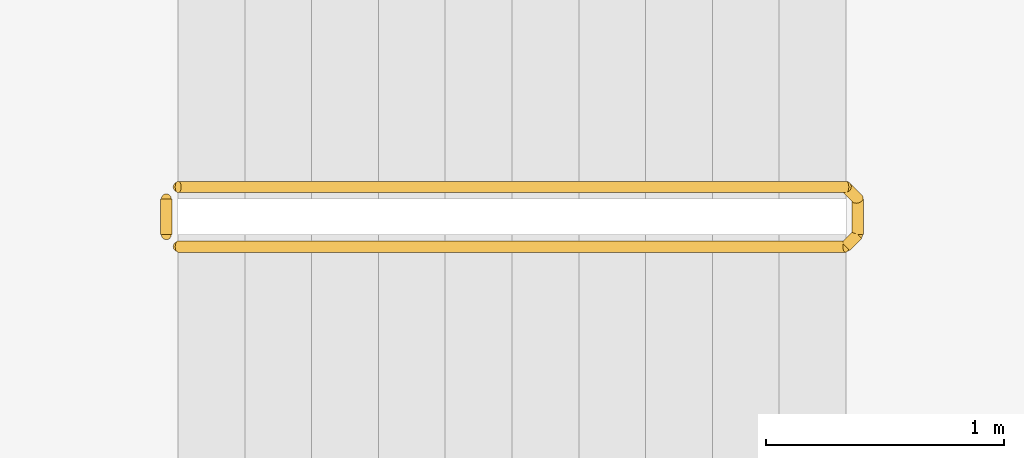
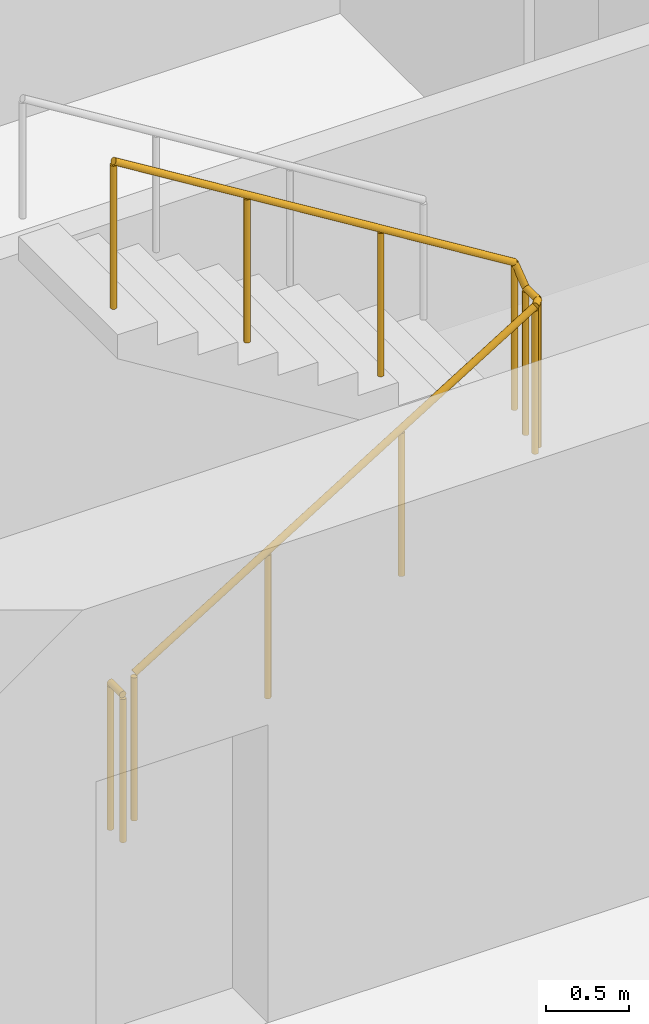
# One storey, part 10 of 14: 2 railings.
"""IFC4 building model written with IfcOpenShell, lengths in metres."""

from ifc_helpers import new_model, si_unit, direction, frame, origin, origin_2d, place, context, subcontext, project, spatial, circle, extrude, material, type_object, element, save


model = new_model("IFC4")

# Units and contexts
model_context = context("Model", 3, precision=1e-05, world=origin(), true_north=direction((0.0, 1.0)))
body_context = subcontext(model_context, "Body", "Model", "MODEL_VIEW")
ifc_project = project(units=[si_unit("LENGTHUNIT", "METRE"), si_unit("AREAUNIT", "SQUARE_METRE"), si_unit("VOLUMEUNIT", "CUBIC_METRE"), si_unit("PLANEANGLEUNIT", "RADIAN"), si_unit("MASSUNIT", "GRAM", prefix="KILO")], contexts=[model_context])

# Site, building, storey
site_placement = place(None, origin())
site = spatial("IfcSite", under=ifc_project, at=site_placement, CompositionType="ELEMENT")
building_placement = place(site_placement, origin())
building = spatial("IfcBuilding", under=site, at=building_placement, Name="Orbiselva Terraces", CompositionType="ELEMENT")
storey_placement = place(building_placement, frame((0.0, 0.0, 73.2)))
storey = spatial("IfcBuildingStorey", under=building, at=storey_placement, Name="L18", CompositionType="ELEMENT", Elevation=73.2)

# Railings
ifc_material = material(Name="Stainless steel", Category="steel")
railing_type = type_object("IfcRailingType", Name="CORE-GUARD-1100", PredefinedType="GUARDRAIL", material=ifc_material)
railing_1_placement = place(storey_placement, frame((-7.15, 6.55, 0.172727)))
element("IfcRailing", 1, at=railing_1_placement, inside=storey, type_object=railing_type, Name="L18 S3 stair guard 1", PredefinedType="GUARDRAIL", context=body_context, shape_type="SweptSolid", body=[
    extrude(circle(Radius=0.024, at=origin_2d()), frame((0.0, 0.0, 1.081), z_axis=(0.851088519012, 0.0, 0.52502222125), x_axis=(0.0, 1.0, 0.0)), (0.0, 0.0, 1.0), 3.289905),
    extrude(circle(Radius=0.024, at=origin_2d()), frame((2.8, 0.0, 2.808273), z_axis=(0.707106781187, 0.707106781187, 0.0), x_axis=(-0.707106781187, 0.707106781187, 0.0)), (0.0, 0.0, 1.0), 0.070711),
    extrude(circle(Radius=0.024, at=origin_2d()), frame((2.85, 0.05, 2.808273), z_axis=(0.0, 1.0, 0.0), x_axis=(-1.0, 0.0, 0.0)), (0.0, 0.0, 1.0), 0.15),
    extrude(circle(Radius=0.024, at=origin_2d()), frame((2.85, 0.2, 2.808273), z_axis=(-0.267894925557, 0.267894925557, 0.925453736133), x_axis=(-0.707106781187, -0.707106781187, 0.0)), (0.0, 0.0, 1.0), 0.18664),
    extrude(circle(Radius=0.024, at=origin_2d()), frame((2.8, 0.25, 2.981), z_axis=(-0.851088519012, 0.0, 0.52502222125), x_axis=(0.0, -1.0, 0.0)), (0.0, 0.0, 1.0), 3.289905),
    extrude(circle(Radius=0.021, at=origin_2d()), origin(), (0.0, 0.0, 1.0), 1.057),
    extrude(circle(Radius=0.021, at=origin_2d()), frame((0.933333, 0.0, 0.575758)), (0.0, 0.0, 1.0), 1.057),
    extrude(circle(Radius=0.021, at=origin_2d()), frame((1.866667, 0.0, 1.151515)), (0.0, 0.0, 1.0), 1.057),
    extrude(circle(Radius=0.021, at=origin_2d()), frame((2.8, 0.0, 1.727273)), (0.0, 0.0, 1.0), 1.057),
    extrude(circle(Radius=0.021, at=origin_2d()), frame((2.85, 0.05, 1.727273)), (0.0, 0.0, 1.0), 1.057),
    extrude(circle(Radius=0.021, at=origin_2d()), frame((2.85, 0.2, 1.727273)), (0.0, 0.0, 1.0), 1.057),
    extrude(circle(Radius=0.021, at=origin_2d()), frame((2.8, 0.25, 1.9)), (0.0, 0.0, 1.0), 1.057),
    extrude(circle(Radius=0.021, at=origin_2d()), frame((1.866667, 0.25, 2.475758)), (0.0, 0.0, 1.0), 1.057),
    extrude(circle(Radius=0.021, at=origin_2d()), frame((0.933333, 0.25, 3.051515)), (0.0, 0.0, 1.0), 1.057),
    extrude(circle(Radius=0.021, at=origin_2d()), frame((0.0, 0.25, 3.627273)), (0.0, 0.0, 1.0), 1.057),
])
railing_2_placement = place(storey_placement, frame((-7.2, 6.6, 0.0)))
element("IfcRailing", 2, at=railing_2_placement, inside=storey, type_object=railing_type, Name="L18 S3 stair guard 2", PredefinedType="GUARDRAIL", context=body_context, shape_type="SweptSolid", body=[
    extrude(circle(Radius=0.024, at=origin_2d()), frame((0.0, 0.0, 1.081), z_axis=(0.0, 1.0, 0.0), x_axis=(-1.0, 0.0, 0.0)), (0.0, 0.0, 1.0), 0.15),
    extrude(circle(Radius=0.021, at=origin_2d()), origin(), (0.0, 0.0, 1.0), 1.057),
    extrude(circle(Radius=0.021, at=origin_2d()), frame((0.0, 0.15, 0.0)), (0.0, 0.0, 1.0), 1.057),
])

save(model, "model.ifc")
